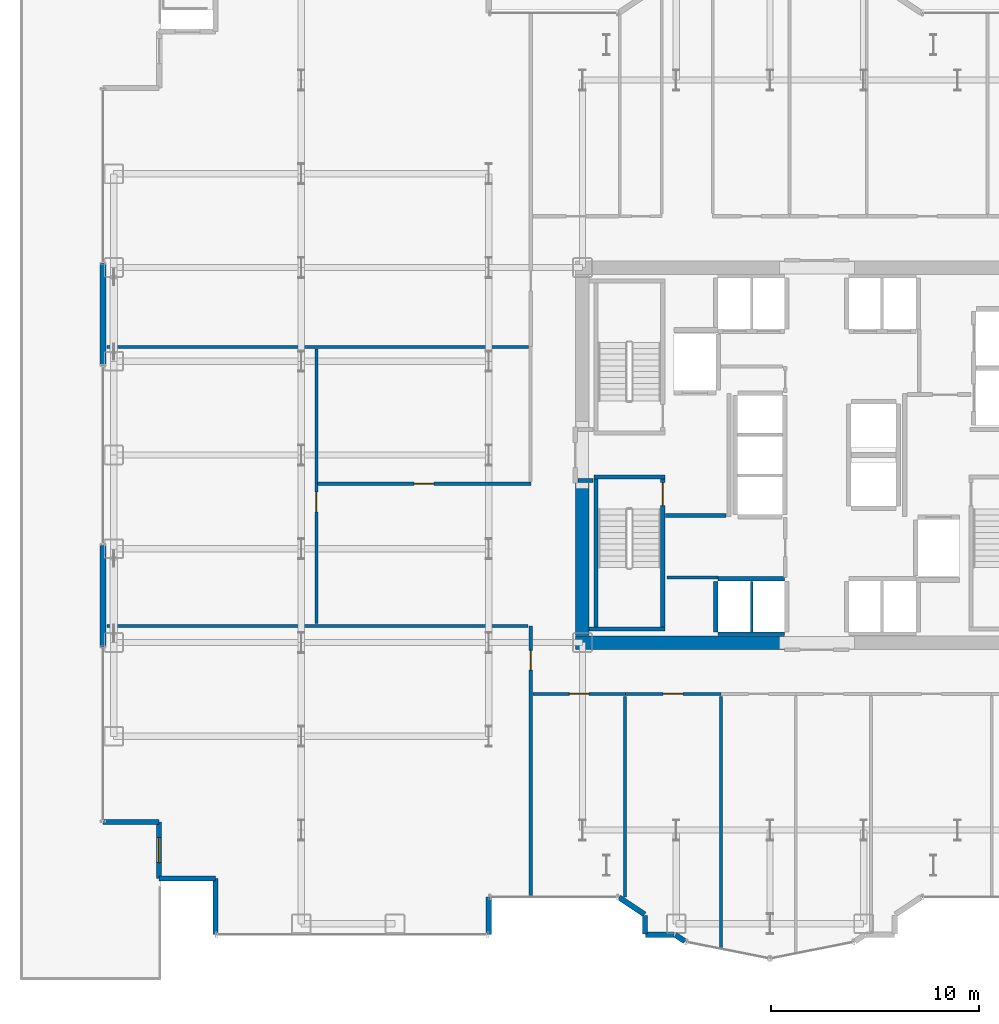
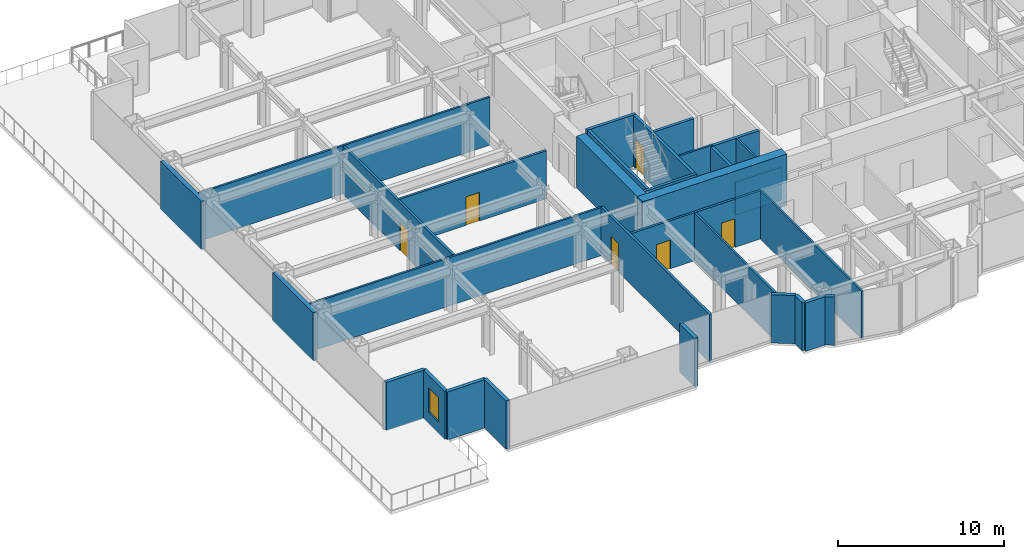
# One storey, part 22 of 30: 33 walls, 6 doors, 1 window, 7 openings.
"""IFC4 building model written with IfcOpenShell, lengths in metres."""

from ifc_helpers import new_model, si_unit, direction, frame, frame_2d, origin, place, context, subcontext, project, spatial, rectangle, extrude, source, transform, mapped, material, layer, layer_set, type_object, element, fill, save


model = new_model("IFC4")

# Units and contexts
model_context = context("Model", 3, precision=1e-05, world=origin(), true_north=direction((0.0, 1.0)))
body_context = subcontext(model_context, "Body", "Model", "MODEL_VIEW")
ifc_project = project(units=[si_unit("LENGTHUNIT", "METRE"), si_unit("AREAUNIT", "SQUARE_METRE"), si_unit("VOLUMEUNIT", "CUBIC_METRE"), si_unit("PLANEANGLEUNIT", "RADIAN"), si_unit("MASSUNIT", "GRAM", prefix="KILO")], contexts=[model_context])

# Site, building, storey
site_placement = place(None, origin())
site = spatial("IfcSite", under=ifc_project, at=site_placement, CompositionType="ELEMENT")
building_placement = place(site_placement, origin())
building = spatial("IfcBuilding", under=site, at=building_placement, Name="Nefas-Gora Pilgrimage Tower", CompositionType="ELEMENT")
storey_placement = place(building_placement, frame((0.0, 0.0, 33.0)))
storey = spatial("IfcBuildingStorey", under=building, at=storey_placement, Name="L06", CompositionType="ELEMENT", Elevation=33.0)

# Walls
ifc_material_1 = material(Name="Concrete C60/75", Category="concrete")
ifc_layer_1 = layer(ifc_material_1, 0.64990234375)
ifc_layer_set_1 = layer_set([ifc_layer_1], Name="Concrete C60/75")
wall_type_1 = type_object("IfcWallType", Name="SW-CORE-650", PredefinedType="SHEAR", material=ifc_layer_set_1)
shared_shape_1 = source(origin(), body_context, "Body", "SweptSolid", [
    extrude(rectangle(XDim=10.02490234375, YDim=0.64990234375, at=frame_2d((5.012451171875, 0.0))), origin(), (0.0, 0.0, 1.0), 3.800048828125),
])
wall_1_placement = place(storey_placement, frame((-11.574951171875, -9.0, 0.0), z_axis=(0.0, 0.0, 1.0), x_axis=(1.0, 0.0, 0.0)))
element("IfcWall", 1, at=wall_1_placement, inside=storey, type_object=wall_type_1, Name="L06 Core Shear Wall S-West", PredefinedType="SHEAR", context=body_context, shape_type="MappedRepresentation", body=[
    mapped(shared_shape_1, transform((0.0, 0.0, 0.0), x_axis=(1.0, 0.0, 0.0), y_axis=(0.0, 1.0, 0.0), z_axis=(0.0, 0.0, 1.0), scale=1.0)),
])
shared_shape_2 = source(origin(), body_context, "Body", "SweptSolid", [
    extrude(rectangle(XDim=7.324951171875, YDim=0.64990234375, at=frame_2d((3.66259765625, 0.0))), origin(), (0.0, 0.0, 1.0), 3.800048828125),
])
wall_2_placement = place(storey_placement, frame((-11.25, -8.675048828125, 0.0), z_axis=(0.0, 0.0, 1.0), x_axis=(0.0, 1.0, 0.0)))
element("IfcWall", 2, at=wall_2_placement, inside=storey, type_object=wall_type_1, Name="L06 Core Shear Wall W-South", PredefinedType="SHEAR", context=body_context, shape_type="MappedRepresentation", body=[
    mapped(shared_shape_2, transform((0.0, 0.0, 0.0), x_axis=(1.0, 0.0, 0.0), y_axis=(0.0, 1.0, 0.0), z_axis=(0.0, 0.0, 1.0), scale=1.0)),
])
ifc_material_2 = material(Name="Precast concrete C45/55", Category="concrete")
ifc_layer_2 = layer(ifc_material_2, 0.239990234375)
ifc_layer_set_2 = layer_set([ifc_layer_2], Name="Precast concrete C45/55")
wall_type_2 = type_object("IfcWallType", Name="EW-SERR-240", PredefinedType="SHEAR", material=ifc_layer_set_2)
shared_shape_3 = source(origin(), body_context, "Body", "SweptSolid", [
    extrude(rectangle(XDim=4.8798828125, YDim=0.300048828125, at=frame_2d((2.43994140625, 0.0))), origin(), (0.0, 0.0, 1.0), 3.550048828125),
])
for number, where, z_axis, x_axis, name in (
    (3, (-34.27001953125, -9.18994140625, 0.0), (0.0, 0.0, 1.0), (0.0, 1.0, 0.0), "L06 Braced-Tube Precast Shear Cladding 1"),
    (4, (-34.27001953125, 4.31005859375, 0.0), (0.0, 0.0, 1.0), (0.0, 1.0, 0.0), "L06 Braced-Tube Precast Shear Cladding 2"),
):
    element("IfcWall", number, at=place(storey_placement, frame(where, z_axis=z_axis, x_axis=x_axis)), inside=storey, type_object=wall_type_2, Name=name, PredefinedType="SHEAR", context=body_context, shape_type="MappedRepresentation", body=[
        mapped(shared_shape_3, transform((0.0, 0.0, 0.0), x_axis=(1.0, 0.0, 0.0), y_axis=(0.0, 1.0, 0.0), z_axis=(0.0, 0.0, 1.0), scale=1.0)),
    ])
ifc_material_3 = material(Name="Precast concrete C40/50", Category="concrete")
ifc_layer_3 = layer(ifc_material_3, 0.260009765625)
ifc_layer_set_3 = layer_set([ifc_layer_3], Name="Precast concrete C40/50")
wall_type_3 = type_object("IfcWallType", Name="EW-PORTAL-260", PredefinedType="SOLIDWALL", material=ifc_layer_set_3)
shared_shape_4 = source(origin(), body_context, "Body", "SweptSolid", [
    extrude(rectangle(XDim=1.800048828125, YDim=0.260009765625, at=frame_2d((0.89990234375, 0.0))), origin(), (0.0, 0.0, 1.0), 3.550048828125),
])
wall_3_placement = place(storey_placement, frame((-15.75, -23.02001953125, 0.0), z_axis=(0.0, 0.0, 1.0), x_axis=(0.0, 1.0, 0.0)))
element("IfcWall", 5, at=wall_3_placement, inside=storey, type_object=wall_type_3, Name="L06 Lobe Shoulder Precast Spandrel Pier 32", PredefinedType="SOLIDWALL", context=body_context, shape_type="MappedRepresentation", body=[
    mapped(shared_shape_4, transform((0.0, 0.0, 0.0), x_axis=(1.0, 0.0, 0.0), y_axis=(0.0, 1.0, 0.0), z_axis=(0.0, 0.0, 1.0), scale=1.0)),
])
shared_shape_5 = source(origin(), body_context, "Body", "SweptSolid", [
    extrude(rectangle(XDim=2.699951171875, YDim=0.239990234375, at=frame_2d((1.35009765625, 0.0))), origin(), (0.0, 0.0, 1.0), 3.550048828125),
])
wall_4_placement = place(storey_placement, frame((-34.27001953125, -17.6201171875, 0.0), z_axis=(0.0, 0.0, 1.0), x_axis=(1.0, 0.0, 0.0)))
element("IfcWall", 6, at=wall_4_placement, inside=storey, type_object=wall_type_2, Name="L06 Serrated Corner Shear Pier Wall 28", PredefinedType="SHEAR", context=body_context, shape_type="MappedRepresentation", body=[
    mapped(shared_shape_5, transform((0.0, 0.0, 0.0), x_axis=(1.0, 0.0, 0.0), y_axis=(0.0, 1.0, 0.0), z_axis=(0.0, 0.0, 1.0), scale=1.0)),
])

# Wall, opening, window
wall_5_placement = place(storey_placement, frame((-31.570068359375, -17.6201171875, 0.0), z_axis=(0.0, 0.0, 1.0), x_axis=(0.0, -1.0, 0.0)))
wall_5 = element("IfcWall", 7, at=wall_5_placement, inside=storey, type_object=wall_type_2, Name="L06 Serrated Corner Shear Pier Wall 29", PredefinedType="SHEAR", context=body_context, shape_type="MappedRepresentation", body=[
    mapped(shared_shape_5, transform((0.0, 0.0, 0.0), x_axis=(1.0, 0.0, 0.0), y_axis=(0.0, 1.0, 0.0), z_axis=(0.0, 0.0, 1.0), scale=1.0)),
])
opening_1_placement = place(wall_5_placement, frame((0.75, 0.0, 0.85009765625)))
opening_1 = element("IfcOpeningElement", 8, at=opening_1_placement, cuts=wall_5, Name="Opening W-V1", PredefinedType="OPENING", context=body_context, shape_type="SweptSolid", body=[
    extrude(rectangle(XDim=1.199951171875, YDim=1.800048828125, at=frame_2d((0.60009765625, 0.89990234375))), frame((0.0, 0.1298828125, 0.0), z_axis=(0.0, -1.0, 0.0), x_axis=(1.0, 0.0, 0.0)), (0.0, 0.0, 1.0), 0.260009765625),
])
ifc_material_4 = material(Name="Dark ceramic-fritted operable aluminium-glass window", Category="aluminium")
window_type = type_object("IfcWindowType", Name="WIN-VENT-1200x1800", PartitioningType="SINGLE_PANEL", PredefinedType="WINDOW", material=ifc_material_4)
shared_shape_6 = source(origin(), body_context, "Body", "SweptSolid", [
    extrude(rectangle(XDim=1.199951171875, YDim=1.800048828125, at=frame_2d((0.60009765625, 0.89990234375))), frame((0.0, 0.030029296875, 0.0), z_axis=(0.0, -1.0, 0.0), x_axis=(1.0, 0.0, 0.0)), (0.0, 0.0, 1.0), 0.06005859375),
])
window_placement = place(opening_1_placement, origin())
window = element("IfcWindow", 9, at=window_placement, inside=storey, type_object=window_type, Name="L06 Operable Parallel-Outswing Window 29", OverallHeight=1.800048828125, OverallWidth=1.199951171875, PartitioningType="SINGLE_PANEL", PredefinedType="WINDOW", context=body_context, shape_type="MappedRepresentation", body=[
    mapped(shared_shape_6, transform((0.0, 0.0, 0.0), x_axis=(1.0, 0.0, 0.0), y_axis=(0.0, 1.0, 0.0), z_axis=(0.0, 0.0, 1.0), scale=1.0)),
])
fill(opening_1, window)

# Walls
for number, where, z_axis, x_axis, name in (
    (10, (-31.570068359375, -20.320068359375, 0.0), (0.0, 0.0, 1.0), (1.0, 0.0, 0.0), "L06 Serrated Corner Shear Pier Wall 30"),
    (11, (-28.8701171875, -20.320068359375, 0.0), (0.0, 0.0, 1.0), (0.0, -1.0, 0.0), "L06 Serrated Corner Shear Pier Wall 31"),
):
    element("IfcWall", number, at=place(storey_placement, frame(where, z_axis=z_axis, x_axis=x_axis)), inside=storey, type_object=wall_type_2, Name=name, PredefinedType="SHEAR", context=body_context, shape_type="MappedRepresentation", body=[
        mapped(shared_shape_5, transform((0.0, 0.0, 0.0), x_axis=(1.0, 0.0, 0.0), y_axis=(0.0, 1.0, 0.0), z_axis=(0.0, 0.0, 1.0), scale=1.0)),
    ])
shared_shape_7 = source(origin(), body_context, "Body", "SweptSolid", [
    extrude(rectangle(XDim=1.468994140625, YDim=0.260009765625, at=frame_2d((0.734375, 0.0))), origin(), (0.0, 0.0, 1.0), 3.550048828125),
])
wall_6_placement = place(storey_placement, frame((-9.49462890625, -21.235595703125, 0.0), z_axis=(0.0, 0.0, 1.0), x_axis=(0.831461760506, -0.555581983884, 0.0)))
element("IfcWall", 12, at=wall_6_placement, inside=storey, type_object=wall_type_3, Name="L06 Lobe Shoulder Precast Spandrel Pier 33", PredefinedType="SOLIDWALL", context=body_context, shape_type="MappedRepresentation", body=[
    mapped(shared_shape_7, transform((0.0, 0.0, 0.0), x_axis=(1.0, 0.0, 0.0), y_axis=(0.0, 1.0, 0.0), z_axis=(0.0, 0.0, 1.0), scale=1.0)),
])
shared_shape_8 = source(origin(), body_context, "Body", "SweptSolid", [
    extrude(rectangle(XDim=0.896728515625, YDim=0.260009765625, at=frame_2d((0.4482421875, 0.0))), origin(), (0.0, 0.0, 1.0), 3.550048828125),
])
wall_7_placement = place(storey_placement, frame((-8.25, -22.09521484375, 0.0), z_axis=(0.0, 0.0, 1.0), x_axis=(0.0, -1.0, 0.0)))
element("IfcWall", 13, at=wall_7_placement, inside=storey, type_object=wall_type_3, Name="L06 Lobe Shoulder Precast Spandrel Pier 34", PredefinedType="SOLIDWALL", context=body_context, shape_type="MappedRepresentation", body=[
    mapped(shared_shape_8, transform((0.0, 0.0, 0.0), x_axis=(1.0, 0.0, 0.0), y_axis=(0.0, 1.0, 0.0), z_axis=(0.0, 0.0, 1.0), scale=1.0)),
])
shared_shape_9 = source(origin(), body_context, "Body", "SweptSolid", [
    extrude(rectangle(XDim=1.369873046875, YDim=0.260009765625, at=frame_2d((0.68505859375, 0.0))), origin(), (0.0, 0.0, 1.0), 3.550048828125),
])
wall_8_placement = place(storey_placement, frame((-8.221923828125, -23.02001953125, 0.0), z_axis=(0.0, 0.0, 1.0), x_axis=(1.0, 0.0, 0.0)))
element("IfcWall", 14, at=wall_8_placement, inside=storey, type_object=wall_type_3, Name="L06 Lobe Shoulder Precast Spandrel Pier 35", PredefinedType="SOLIDWALL", context=body_context, shape_type="MappedRepresentation", body=[
    mapped(shared_shape_9, transform((0.0, 0.0, 0.0), x_axis=(1.0, 0.0, 0.0), y_axis=(0.0, 1.0, 0.0), z_axis=(0.0, 0.0, 1.0), scale=1.0)),
])
shared_shape_10 = source(origin(), body_context, "Body", "SweptSolid", [
    extrude(rectangle(XDim=0.5654296875, YDim=0.260009765625, at=frame_2d((0.28271484375, 0.0))), origin(), (0.0, 0.0, 1.0), 3.550048828125),
])
wall_9_placement = place(storey_placement, frame((-6.80078125, -23.03564453125, 0.0), z_axis=(0.0, 0.0, 1.0), x_axis=(0.831651492666, -0.555297933317, 0.0)))
element("IfcWall", 15, at=wall_9_placement, inside=storey, type_object=wall_type_3, Name="L06 Lobe Shoulder Precast Spandrel Pier 36", PredefinedType="SOLIDWALL", context=body_context, shape_type="MappedRepresentation", body=[
    mapped(shared_shape_10, transform((0.0, 0.0, 0.0), x_axis=(1.0, 0.0, 0.0), y_axis=(0.0, 1.0, 0.0), z_axis=(0.0, 0.0, 1.0), scale=1.0)),
])
ifc_material_5 = material(Name="Concrete C45/55", Category="concrete")
ifc_layer_4 = layer(ifc_material_5, 0.199951171875)
ifc_layer_set_4 = layer_set([ifc_layer_4], Name="Concrete C45/55")
wall_type_4 = type_object("IfcWallType", Name="IW-STAIR-200", PredefinedType="SOLIDWALL", material=ifc_layer_set_4)
shared_shape_11 = source(origin(), body_context, "Body", "SweptSolid", [
    extrude(rectangle(XDim=3.39990234375, YDim=0.199951171875, at=frame_2d((1.699951171875, 0.0))), origin(), (0.0, 0.0, 1.0), 3.800048828125),
])
wall_10_placement = place(storey_placement, frame((-10.699951171875, -1.050048828125, 0.0), z_axis=(0.0, 0.0, 1.0), x_axis=(1.0, 0.0, 0.0)))
element("IfcWall", 16, at=wall_10_placement, inside=storey, type_object=wall_type_4, Name="L06 Stairwell Shear Wall ST-03-near", PredefinedType="SOLIDWALL", context=body_context, shape_type="MappedRepresentation", body=[
    mapped(shared_shape_11, transform((0.0, 0.0, 0.0), x_axis=(1.0, 0.0, 0.0), y_axis=(0.0, 1.0, 0.0), z_axis=(0.0, 0.0, 1.0), scale=1.0)),
])
shared_shape_12 = source(origin(), body_context, "Body", "SweptSolid", [
    extrude(rectangle(XDim=3.6298828125, YDim=0.199951171875, at=frame_2d((1.81494140625, 0.0))), origin(), (0.0, 0.0, 1.0), 3.800048828125),
])
wall_11_placement = place(storey_placement, frame((-10.929931640625, -8.35009765625, 0.0), z_axis=(0.0, 0.0, 1.0), x_axis=(1.0, 0.0, 0.0)))
element("IfcWall", 17, at=wall_11_placement, inside=storey, type_object=wall_type_4, Name="L06 Stairwell Shear Wall ST-03-far", PredefinedType="SOLIDWALL", context=body_context, shape_type="MappedRepresentation", body=[
    mapped(shared_shape_12, transform((0.0, 0.0, 0.0), x_axis=(1.0, 0.0, 0.0), y_axis=(0.0, 1.0, 0.0), z_axis=(0.0, 0.0, 1.0), scale=1.0)),
])
shared_shape_13 = source(origin(), body_context, "Body", "SweptSolid", [
    extrude(rectangle(XDim=7.10009765625, YDim=0.199951171875, at=frame_2d((3.550048828125, 0.0))), origin(), (0.0, 0.0, 1.0), 3.800048828125),
])
wall_12_placement = place(storey_placement, frame((-10.60009765625, -1.14990234375, 0.0), z_axis=(0.0, 0.0, 1.0), x_axis=(0.0, -1.0, 0.0)))
element("IfcWall", 18, at=wall_12_placement, inside=storey, type_object=wall_type_4, Name="L06 Stairwell Shear Wall ST-03-left", PredefinedType="SOLIDWALL", context=body_context, shape_type="MappedRepresentation", body=[
    mapped(shared_shape_13, transform((0.0, 0.0, 0.0), x_axis=(1.0, 0.0, 0.0), y_axis=(0.0, 1.0, 0.0), z_axis=(0.0, 0.0, 1.0), scale=1.0)),
])

# Wall, opening, door
wall_13_placement = place(storey_placement, frame((-7.39990234375, -1.14990234375, 0.0), z_axis=(0.0, 0.0, 1.0), x_axis=(0.0, -1.0, 0.0)))
wall_13 = element("IfcWall", 19, at=wall_13_placement, inside=storey, type_object=wall_type_4, Name="L06 Stairwell Shear Wall ST-03-right", PredefinedType="SOLIDWALL", context=body_context, shape_type="MappedRepresentation", body=[
    mapped(shared_shape_13, transform((0.0, 0.0, 0.0), x_axis=(1.0, 0.0, 0.0), y_axis=(0.0, 1.0, 0.0), z_axis=(0.0, 0.0, 1.0), scale=1.0)),
])
opening_2_placement = place(wall_13_placement, frame((0.179931640625, 0.0, 0.0)))
opening_2 = element("IfcOpeningElement", 20, at=opening_2_placement, cuts=wall_13, Name="Opening ID-ST1", PredefinedType="OPENING", context=body_context, shape_type="SweptSolid", body=[
    extrude(rectangle(XDim=1.10009765625, YDim=2.14990234375, at=frame_2d((0.550048828125, 1.074951171875))), frame((0.0, 0.10986328125, 0.0), z_axis=(0.0, -1.0, 0.0), x_axis=(1.0, 0.0, 0.0)), (0.0, 0.0, 1.0), 0.219970703125),
])
ifc_material_6 = material(Name="Painted galvanised steel fire stair door", Category="steel")
door_type_1 = type_object("IfcDoorType", Name="DR-INT-STAIR-1100", OperationType="NOTDEFINED", PredefinedType="DOOR", material=ifc_material_6)
shared_shape_14 = source(origin(), body_context, "Body", "SweptSolid", [
    extrude(rectangle(XDim=1.10009765625, YDim=2.14990234375, at=frame_2d((0.550048828125, 1.074951171875))), frame((0.0, 0.02490234375, 0.0), z_axis=(0.0, -1.0, 0.0), x_axis=(1.0, 0.0, 0.0)), (0.0, 0.0, 1.0), 0.050048828125),
])
door_1_placement = place(opening_2_placement, origin())
door_1 = element("IfcDoor", 21, at=door_1_placement, inside=storey, type_object=door_type_1, Name="L06 Protected Exit Stair Door ST-03", OperationType="SINGLE_SWING_RIGHT", OverallHeight=2.14990234375, OverallWidth=1.10009765625, PredefinedType="DOOR", context=body_context, shape_type="MappedRepresentation", body=[
    mapped(shared_shape_14, transform((0.0, 0.0, 0.0), x_axis=(1.0, 0.0, 0.0), y_axis=(0.0, 1.0, 0.0), z_axis=(0.0, 0.0, 1.0), scale=1.0)),
])
fill(opening_2, door_1)

# Walls
ifc_material_7 = material(Name="Concrete C40/50", Category="concrete")
ifc_layer_5 = layer(ifc_material_7, 0.219970703125)
ifc_layer_set_5 = layer_set([ifc_layer_5], Name="Concrete C40/50")
wall_type_5 = type_object("IfcWallType", Name="IW-SHAFT-220", PredefinedType="SOLIDWALL", material=ifc_layer_set_5)
shared_shape_15 = source(origin(), body_context, "Body", "SweptSolid", [
    extrude(rectangle(XDim=3.199951171875, YDim=0.219970703125, at=frame_2d((1.60009765625, 0.0))), origin(), (0.0, 0.0, 1.0), 3.534912109375),
])
wall_14_placement = place(storey_placement, frame((-1.550048828125, -5.93994140625, 0.0), z_axis=(0.0, 0.0, 1.0), x_axis=(-1.0, 0.0, 0.0)))
element("IfcWall", 22, at=wall_14_placement, inside=storey, type_object=wall_type_5, Name="L06 Hoistway Wall PL2-W-N", PredefinedType="SOLIDWALL", context=body_context, shape_type="MappedRepresentation", body=[
    mapped(shared_shape_15, transform((0.0, 0.0, 0.0), x_axis=(1.0, 0.0, 0.0), y_axis=(0.0, 1.0, 0.0), z_axis=(0.0, 0.0, 1.0), scale=1.0)),
])
ifc_material_8 = material(Name="Gypsum acoustic stud partition")
ifc_layer_6 = layer(ifc_material_8, 0.159912109375)
ifc_layer_set_6 = layer_set([ifc_layer_6], Name="Gypsum acoustic stud partition")
wall_type_6 = type_object("IfcWallType", Name="IW-CORR-160", PredefinedType="PARTITIONING", material=ifc_layer_set_6)
shared_shape_16 = source(origin(), body_context, "Body", "SweptSolid", [
    extrude(rectangle(XDim=3.199951171875, YDim=0.159912109375, at=frame_2d((1.60009765625, 0.0))), origin(), (0.0, 0.0, 1.0), 2.425048828125),
])
wall_15_placement = place(storey_placement, frame((-4.75, -8.580078125, 0.0), z_axis=(0.0, 0.0, 1.0), x_axis=(1.0, 0.0, 0.0)))
element("IfcWall", 23, at=wall_15_placement, inside=storey, type_object=wall_type_6, Name="L06 Hoistway Wall PL2-W-S", PredefinedType="PARTITIONING", context=body_context, shape_type="MappedRepresentation", body=[
    mapped(shared_shape_16, transform((0.0, 0.0, 0.0), x_axis=(1.0, 0.0, 0.0), y_axis=(0.0, 1.0, 0.0), z_axis=(0.0, 0.0, 1.0), scale=1.0)),
])
shared_shape_17 = source(origin(), body_context, "Body", "SweptSolid", [
    extrude(rectangle(XDim=2.429931640625, YDim=0.219970703125, at=frame_2d((1.21484375, 0.0))), origin(), (0.0, 0.0, 1.0), 3.534912109375),
])
wall_16_placement = place(storey_placement, frame((-4.860107421875, -6.06005859375, 0.0), z_axis=(0.0, 0.0, 1.0), x_axis=(0.0, -1.0, 0.0)))
element("IfcWall", 24, at=wall_16_placement, inside=storey, type_object=wall_type_5, Name="L06 Hoistway Wall PL2-W-W", PredefinedType="SOLIDWALL", context=body_context, shape_type="MappedRepresentation", body=[
    mapped(shared_shape_17, transform((0.0, 0.0, 0.0), x_axis=(1.0, 0.0, 0.0), y_axis=(0.0, 1.0, 0.0), z_axis=(0.0, 0.0, 1.0), scale=1.0)),
])
ifc_material_9 = material(Name="Gypsum twin-stud partition")
ifc_layer_7 = layer(ifc_material_9, 0.139892578125)
ifc_layer_set_7 = layer_set([ifc_layer_7], Name="Gypsum twin-stud partition")
wall_type_7 = type_object("IfcWallType", Name="IW-UNIT-140", PredefinedType="PARTITIONING", material=ifc_layer_set_7)
shared_shape_18 = source(origin(), body_context, "Body", "SweptSolid", [
    extrude(rectangle(XDim=2.429931640625, YDim=0.139892578125, at=frame_2d((1.21484375, 0.0))), origin(), (0.0, 0.0, 1.0), 3.534912109375),
])
wall_17_placement = place(storey_placement, frame((-3.125, -8.489990234375, 0.0), z_axis=(0.0, 0.0, 1.0), x_axis=(0.0, 1.0, 0.0)))
element("IfcWall", 25, at=wall_17_placement, inside=storey, type_object=wall_type_7, Name="L06 Hoistway Wall PL2-W-DIV", PredefinedType="PARTITIONING", context=body_context, shape_type="MappedRepresentation", body=[
    mapped(shared_shape_18, transform((0.0, 0.0, 0.0), x_axis=(1.0, 0.0, 0.0), y_axis=(0.0, 1.0, 0.0), z_axis=(0.0, 0.0, 1.0), scale=1.0)),
])
ifc_material_10 = material(Name="Gypsum fire-rated shaftwall")
ifc_layer_8 = layer(ifc_material_10, 0.199951171875)
ifc_layer_set_8 = layer_set([ifc_layer_8], Name="Gypsum fire-rated shaftwall")
wall_type_8 = type_object("IfcWallType", Name="IW-FFLOB-200", PredefinedType="PARTITIONING", material=ifc_layer_set_8)
shared_shape_19 = source(origin(), body_context, "Body", "SweptSolid", [
    extrude(rectangle(XDim=2.89990234375, YDim=0.199951171875, at=frame_2d((1.449951171875, 0.0))), origin(), (0.0, 0.0, 1.0), 3.534912109375),
])
wall_18_placement = place(storey_placement, frame((-7.260009765625, -2.89990234375, 0.0), z_axis=(0.0, 0.0, 1.0), x_axis=(1.0, 0.0, 0.0)))
element("IfcWall", 26, at=wall_18_placement, inside=storey, type_object=wall_type_8, Name="L06 FF Lobby West South Wall Wall 5", PredefinedType="PARTITIONING", context=body_context, shape_type="MappedRepresentation", body=[
    mapped(shared_shape_19, transform((0.0, 0.0, 0.0), x_axis=(1.0, 0.0, 0.0), y_axis=(0.0, 1.0, 0.0), z_axis=(0.0, 0.0, 1.0), scale=1.0)),
])
shared_shape_20 = source(origin(), body_context, "Body", "SweptSolid", [
    extrude(rectangle(XDim=0.719970703125, YDim=0.199951171875, at=frame_2d((0.35986328125, 0.0))), origin(), (0.0, 0.0, 1.0), 3.534912109375),
])
wall_19_placement = place(storey_placement, frame((-11.4599609375, -1.219970703125, 0.0), z_axis=(0.0, 0.0, 1.0), x_axis=(1.0, 0.0, 0.0)))
element("IfcWall", 27, at=wall_19_placement, inside=storey, type_object=wall_type_8, Name="L06 FF Lobby West Throat S Wall 7", PredefinedType="PARTITIONING", context=body_context, shape_type="MappedRepresentation", body=[
    mapped(shared_shape_20, transform((0.0, 0.0, 0.0), x_axis=(1.0, 0.0, 0.0), y_axis=(0.0, 1.0, 0.0), z_axis=(0.0, 0.0, 1.0), scale=1.0)),
])
shared_shape_21 = source(origin(), body_context, "Body", "SweptSolid", [
    extrude(rectangle(XDim=2.43505859375, YDim=0.139892578125, at=frame_2d((1.217529296875, 0.0))), origin(), (0.0, 0.0, 1.0), 3.534912109375),
])
wall_20_placement = place(storey_placement, frame((-7.18994140625, -5.8798828125, 0.0), z_axis=(0.0, 0.0, 1.0), x_axis=(1.0, 0.0, 0.0)))
element("IfcWall", 28, at=wall_20_placement, inside=storey, type_object=wall_type_7, Name="L06 Pilgrim Baggage and Gear Vault Partition Wall 19", PredefinedType="PARTITIONING", context=body_context, shape_type="MappedRepresentation", body=[
    mapped(shared_shape_21, transform((0.0, 0.0, 0.0), x_axis=(1.0, 0.0, 0.0), y_axis=(0.0, 1.0, 0.0), z_axis=(0.0, 0.0, 1.0), scale=1.0)),
])

# Wall, opening, door
shared_shape_22 = source(origin(), body_context, "Body", "SweptSolid", [
    extrude(rectangle(XDim=13.044921875, YDim=0.159912109375, at=frame_2d((6.5224609375, 0.0))), origin(), (0.0, 0.0, 1.0), 3.534912109375),
])
wall_21_placement = place(storey_placement, frame((-13.739990234375, -21.239990234375, 0.0), z_axis=(0.0, 0.0, 1.0), x_axis=(0.0, 1.0, 0.0)))
wall_21 = element("IfcWall", 29, at=wall_21_placement, inside=storey, type_object=wall_type_6, Name="L06 Pilgrim Tea and Beverage Pantry Partition Wall 23", PredefinedType="PARTITIONING", context=body_context, shape_type="MappedRepresentation", body=[
    mapped(shared_shape_22, transform((0.0, 0.0, 0.0), x_axis=(1.0, 0.0, 0.0), y_axis=(0.0, 1.0, 0.0), z_axis=(0.0, 0.0, 1.0), scale=1.0)),
])
opening_3_placement = place(wall_21_placement, frame((10.91259765625, 0.0, 0.0)))
opening_3 = element("IfcOpeningElement", 30, at=opening_3_placement, cuts=wall_21, Name="Opening ID-GR1", PredefinedType="OPENING", context=body_context, shape_type="SweptSolid", body=[
    extrude(rectangle(XDim=0.949951171875, YDim=2.10009765625, at=frame_2d((0.47509765625, 1.050048828125))), frame((0.0, 0.08984375, 0.0), z_axis=(0.0, -1.0, 0.0), x_axis=(1.0, 0.0, 0.0)), (0.0, 0.0, 1.0), 0.179931640625),
])
ifc_material_11 = material(Name="Solid core oak fire-rated guest entrance door")
door_type_2 = type_object("IfcDoorType", Name="DR-INT-GUEST-950", OperationType="NOTDEFINED", PredefinedType="DOOR", material=ifc_material_11)
shared_shape_23 = source(origin(), body_context, "Body", "SweptSolid", [
    extrude(rectangle(XDim=0.949951171875, YDim=2.10009765625, at=frame_2d((0.47509765625, 1.050048828125))), frame((0.0, 0.02490234375, 0.0), z_axis=(0.0, -1.0, 0.0), x_axis=(1.0, 0.0, 0.0)), (0.0, 0.0, 1.0), 0.050048828125),
])
door_2_placement = place(opening_3_placement, origin())
door_2 = element("IfcDoor", 31, at=door_2_placement, inside=storey, type_object=door_type_2, Name="L06 Pilgrim Tea and Beverage Pantry Door 9", OperationType="SINGLE_SWING_LEFT", OverallHeight=2.10009765625, OverallWidth=0.949951171875, PredefinedType="DOOR", context=body_context, shape_type="MappedRepresentation", body=[
    mapped(shared_shape_23, transform((0.0, 0.0, 0.0), x_axis=(1.0, 0.0, 0.0), y_axis=(0.0, 1.0, 0.0), z_axis=(0.0, 0.0, 1.0), scale=1.0)),
])
fill(opening_3, door_2)

# Wall
shared_shape_24 = source(origin(), body_context, "Body", "SweptSolid", [
    extrude(rectangle(XDim=20.219970703125, YDim=0.139892578125, at=frame_2d((10.10986328125, 0.0))), origin(), (0.0, 0.0, 1.0), 3.534912109375),
])
wall_22_placement = place(storey_placement, frame((-34.080078125, -8.205078125, 0.0), z_axis=(0.0, 0.0, 1.0), x_axis=(1.0, 0.0, 0.0)))
element("IfcWall", 32, at=wall_22_placement, inside=storey, type_object=wall_type_7, Name="L06 Pilgrim Tea and Beverage Pantry Partition Wall 24", PredefinedType="PARTITIONING", context=body_context, shape_type="MappedRepresentation", body=[
    mapped(shared_shape_24, transform((0.0, 0.0, 0.0), x_axis=(1.0, 0.0, 0.0), y_axis=(0.0, 1.0, 0.0), z_axis=(0.0, 0.0, 1.0), scale=1.0)),
])

# Wall, opening, door
shared_shape_25 = source(origin(), body_context, "Body", "SweptSolid", [
    extrude(rectangle(XDim=10.25, YDim=0.159912109375, at=frame_2d((5.125, 0.0))), origin(), (0.0, 0.0, 1.0), 3.534912109375),
])
wall_23_placement = place(storey_placement, frame((-23.97998046875, -1.3798828125, 0.0), z_axis=(0.0, 0.0, 1.0), x_axis=(1.0, 0.0, 0.0)))
wall_23 = element("IfcWall", 33, at=wall_23_placement, inside=storey, type_object=wall_type_6, Name="L06 Pilgrim Fellowship Seminar Room Partition Wall 25", PredefinedType="PARTITIONING", context=body_context, shape_type="MappedRepresentation", body=[
    mapped(shared_shape_25, transform((0.0, 0.0, 0.0), x_axis=(1.0, 0.0, 0.0), y_axis=(0.0, 1.0, 0.0), z_axis=(0.0, 0.0, 1.0), scale=1.0)),
])
opening_4_placement = place(wall_23_placement, frame((4.64990234375, 0.0, 0.0)))
opening_4 = element("IfcOpeningElement", 34, at=opening_4_placement, cuts=wall_23, Name="Opening ID-GR1", PredefinedType="OPENING", context=body_context, shape_type="SweptSolid", body=[
    extrude(rectangle(XDim=0.949951171875, YDim=2.10009765625, at=frame_2d((0.47509765625, 1.050048828125))), frame((0.0, 0.08984375, 0.0), z_axis=(0.0, -1.0, 0.0), x_axis=(1.0, 0.0, 0.0)), (0.0, 0.0, 1.0), 0.179931640625),
])
door_3_placement = place(opening_4_placement, origin())
door_3 = element("IfcDoor", 35, at=door_3_placement, inside=storey, type_object=door_type_2, Name="L06 Pilgrim Fellowship Seminar Room Door 10", OperationType="SINGLE_SWING_RIGHT", OverallHeight=2.10009765625, OverallWidth=0.949951171875, PredefinedType="DOOR", context=body_context, shape_type="MappedRepresentation", body=[
    mapped(shared_shape_23, transform((0.0, 0.0, 0.0), x_axis=(1.0, 0.0, 0.0), y_axis=(0.0, 1.0, 0.0), z_axis=(0.0, 0.0, 1.0), scale=1.0)),
])
fill(opening_4, door_3)

# Wall
shared_shape_26 = source(origin(), body_context, "Body", "SweptSolid", [
    extrude(rectangle(XDim=20.22998046875, YDim=0.139892578125, at=frame_2d((10.114990234375, 0.0))), origin(), (0.0, 0.0, 1.0), 3.534912109375),
])
wall_24_placement = place(storey_placement, frame((-34.080078125, 5.195068359375, 0.0), z_axis=(0.0, 0.0, 1.0), x_axis=(1.0, 0.0, 0.0)))
element("IfcWall", 36, at=wall_24_placement, inside=storey, type_object=wall_type_7, Name="L06 Pilgrim Fellowship Seminar Room Partition Wall 27", PredefinedType="PARTITIONING", context=body_context, shape_type="MappedRepresentation", body=[
    mapped(shared_shape_26, transform((0.0, 0.0, 0.0), x_axis=(1.0, 0.0, 0.0), y_axis=(0.0, 1.0, 0.0), z_axis=(0.0, 0.0, 1.0), scale=1.0)),
])

# Wall, opening, door
shared_shape_27 = source(origin(), body_context, "Body", "SweptSolid", [
    extrude(rectangle(XDim=13.179931640625, YDim=0.159912109375, at=frame_2d((6.58984375, 0.0))), origin(), (0.0, 0.0, 1.0), 3.534912109375),
])
wall_25_placement = place(storey_placement, frame((-24.02001953125, -8.094970703125, 0.0), z_axis=(0.0, 0.0, 1.0), x_axis=(0.0, 1.0, 0.0)))
wall_25 = element("IfcWall", 37, at=wall_25_placement, inside=storey, type_object=wall_type_6, Name="L06 Pilgrim Refectory Lounge Partition Wall 28", PredefinedType="PARTITIONING", context=body_context, shape_type="MappedRepresentation", body=[
    mapped(shared_shape_27, transform((0.0, 0.0, 0.0), x_axis=(1.0, 0.0, 0.0), y_axis=(0.0, 1.0, 0.0), z_axis=(0.0, 0.0, 1.0), scale=1.0)),
])
opening_5_placement = place(wall_25_placement, frame((5.3701171875, 0.0, 0.0)))
opening_5 = element("IfcOpeningElement", 38, at=opening_5_placement, cuts=wall_25, Name="Opening ID-GR1", PredefinedType="OPENING", context=body_context, shape_type="SweptSolid", body=[
    extrude(rectangle(XDim=0.949951171875, YDim=2.10009765625, at=frame_2d((0.47509765625, 1.050048828125))), frame((0.0, 0.08984375, 0.0), z_axis=(0.0, -1.0, 0.0), x_axis=(1.0, 0.0, 0.0)), (0.0, 0.0, 1.0), 0.179931640625),
])
door_4_placement = place(opening_5_placement, origin())
door_4 = element("IfcDoor", 39, at=door_4_placement, inside=storey, type_object=door_type_2, Name="L06 Pilgrim Refectory Lounge Door 11", OperationType="SINGLE_SWING_LEFT", OverallHeight=2.10009765625, OverallWidth=0.949951171875, PredefinedType="DOOR", context=body_context, shape_type="MappedRepresentation", body=[
    mapped(shared_shape_23, transform((0.0, 0.0, 0.0), x_axis=(1.0, 0.0, 0.0), y_axis=(0.0, 1.0, 0.0), z_axis=(0.0, 0.0, 1.0), scale=1.0)),
])
fill(opening_5, door_4)

shared_shape_28 = source(origin(), body_context, "Body", "SweptSolid", [
    extrude(rectangle(XDim=4.425048828125, YDim=0.159912109375, at=frame_2d((2.21240234375, 0.0))), origin(), (0.0, 0.0, 1.0), 3.534912109375),
])
wall_26_placement = place(storey_placement, frame((-13.6201171875, -11.469970703125, 0.0), z_axis=(0.0, 0.0, 1.0), x_axis=(1.0, 0.0, 0.0)))
wall_26 = element("IfcWall", 40, at=wall_26_placement, inside=storey, type_object=wall_type_6, Name="L06 Pilgrim Contemplative Lounge Partition Wall 51", PredefinedType="PARTITIONING", context=body_context, shape_type="MappedRepresentation", body=[
    mapped(shared_shape_28, transform((0.0, 0.0, 0.0), x_axis=(1.0, 0.0, 0.0), y_axis=(0.0, 1.0, 0.0), z_axis=(0.0, 0.0, 1.0), scale=1.0)),
])
opening_6_placement = place(wall_26_placement, frame((1.737548828125, 0.0, 0.0)))
opening_6 = element("IfcOpeningElement", 41, at=opening_6_placement, cuts=wall_26, Name="Opening ID-GR1", PredefinedType="OPENING", context=body_context, shape_type="SweptSolid", body=[
    extrude(rectangle(XDim=0.949951171875, YDim=2.10009765625, at=frame_2d((0.47509765625, 1.050048828125))), frame((0.0, 0.08984375, 0.0), z_axis=(0.0, -1.0, 0.0), x_axis=(1.0, 0.0, 0.0)), (0.0, 0.0, 1.0), 0.179931640625),
])
door_5_placement = place(opening_6_placement, origin())
door_5 = element("IfcDoor", 42, at=door_5_placement, inside=storey, type_object=door_type_2, Name="L06 Pilgrim Contemplative Lounge Door 24", OperationType="SINGLE_SWING_RIGHT", OverallHeight=2.10009765625, OverallWidth=0.949951171875, PredefinedType="DOOR", context=body_context, shape_type="MappedRepresentation", body=[
    mapped(shared_shape_23, transform((0.0, 0.0, 0.0), x_axis=(1.0, 0.0, 0.0), y_axis=(0.0, 1.0, 0.0), z_axis=(0.0, 0.0, 1.0), scale=1.0)),
])
fill(opening_6, door_5)

# Wall
shared_shape_29 = source(origin(), body_context, "Body", "SweptSolid", [
    extrude(rectangle(XDim=9.636962890625, YDim=0.139892578125, at=frame_2d((4.818359375, 0.0))), origin(), (0.0, 0.0, 1.0), 3.534912109375),
])
wall_27_placement = place(storey_placement, frame((-9.205078125, -21.22705078125, 0.0), z_axis=(0.0, 0.0, 1.0), x_axis=(0.0, 1.0, 0.0)))
element("IfcWall", 43, at=wall_27_placement, inside=storey, type_object=wall_type_7, Name="L06 Pilgrim Contemplative Lounge Partition Wall 52", PredefinedType="PARTITIONING", context=body_context, shape_type="MappedRepresentation", body=[
    mapped(shared_shape_29, transform((0.0, 0.0, 0.0), x_axis=(1.0, 0.0, 0.0), y_axis=(0.0, 1.0, 0.0), z_axis=(0.0, 0.0, 1.0), scale=1.0)),
])

# Wall, opening, door
shared_shape_30 = source(origin(), body_context, "Body", "SweptSolid", [
    extrude(rectangle(XDim=4.610107421875, YDim=0.159912109375, at=frame_2d((2.30517578125, 0.0))), origin(), (0.0, 0.0, 1.0), 3.534912109375),
])
wall_28_placement = place(storey_placement, frame((-9.205078125, -11.469970703125, 0.0), z_axis=(0.0, 0.0, 1.0), x_axis=(1.0, 0.0, 0.0)))
wall_28 = element("IfcWall", 44, at=wall_28_placement, inside=storey, type_object=wall_type_6, Name="L06 Pilgrim Contemplative Lounge Partition Wall 53", PredefinedType="PARTITIONING", context=body_context, shape_type="MappedRepresentation", body=[
    mapped(shared_shape_30, transform((0.0, 0.0, 0.0), x_axis=(1.0, 0.0, 0.0), y_axis=(0.0, 1.0, 0.0), z_axis=(0.0, 0.0, 1.0), scale=1.0)),
])
opening_7_placement = place(wall_28_placement, frame((1.830078125, 0.0, 0.0)))
opening_7 = element("IfcOpeningElement", 45, at=opening_7_placement, cuts=wall_28, Name="Opening ID-GR1", PredefinedType="OPENING", context=body_context, shape_type="SweptSolid", body=[
    extrude(rectangle(XDim=0.949951171875, YDim=2.10009765625, at=frame_2d((0.47509765625, 1.050048828125))), frame((0.0, 0.08984375, 0.0), z_axis=(0.0, -1.0, 0.0), x_axis=(1.0, 0.0, 0.0)), (0.0, 0.0, 1.0), 0.179931640625),
])
door_6_placement = place(opening_7_placement, origin())
door_6 = element("IfcDoor", 46, at=door_6_placement, inside=storey, type_object=door_type_2, Name="L06 Pilgrim Contemplative Lounge Door 25", OperationType="SINGLE_SWING_LEFT", OverallHeight=2.10009765625, OverallWidth=0.949951171875, PredefinedType="DOOR", context=body_context, shape_type="MappedRepresentation", body=[
    mapped(shared_shape_23, transform((0.0, 0.0, 0.0), x_axis=(1.0, 0.0, 0.0), y_axis=(0.0, 1.0, 0.0), z_axis=(0.0, 0.0, 1.0), scale=1.0)),
])
fill(opening_7, door_6)

# Wall
shared_shape_31 = source(origin(), body_context, "Body", "SweptSolid", [
    extrude(rectangle(XDim=12.13623046875, YDim=0.139892578125, at=frame_2d((6.068115234375, 0.0))), origin(), (0.0, 0.0, 1.0), 3.534912109375),
])
wall_29_placement = place(storey_placement, frame((-4.60498046875, -23.726318359375, 0.0), z_axis=(0.0, 0.0, 1.0), x_axis=(0.0, 1.0, 0.0)))
element("IfcWall", 47, at=wall_29_placement, inside=storey, type_object=wall_type_7, Name="L06 Pilgrim Contemplative Lounge Partition Wall 54", PredefinedType="PARTITIONING", context=body_context, shape_type="MappedRepresentation", body=[
    mapped(shared_shape_31, transform((0.0, 0.0, 0.0), x_axis=(1.0, 0.0, 0.0), y_axis=(0.0, 1.0, 0.0), z_axis=(0.0, 0.0, 1.0), scale=1.0)),
])

save(model, "model.ifc")
